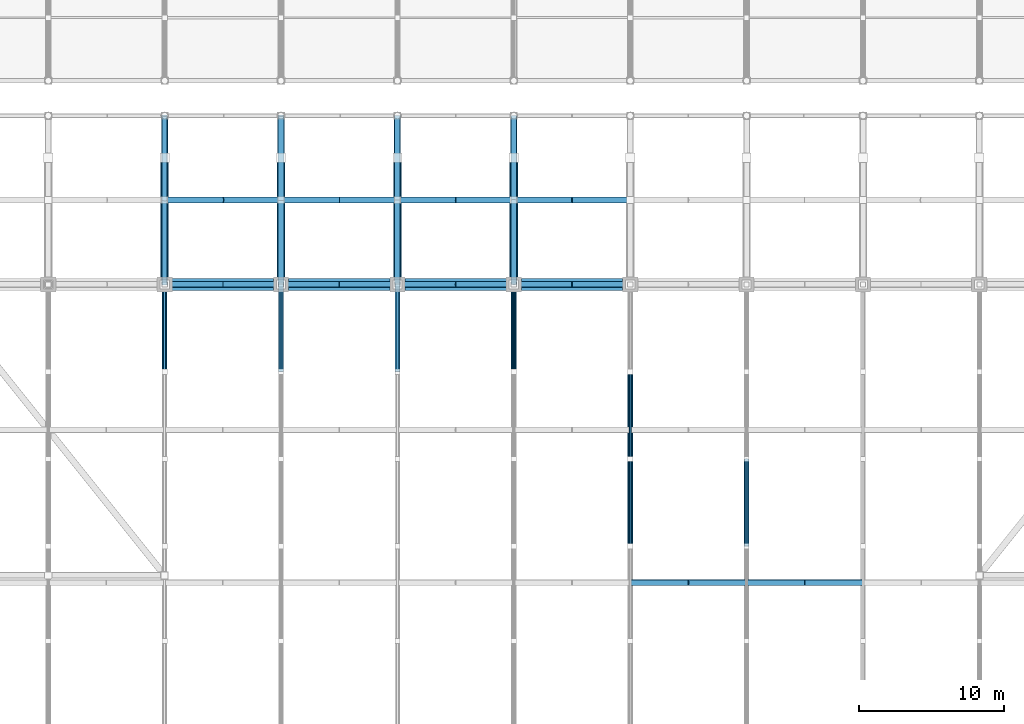
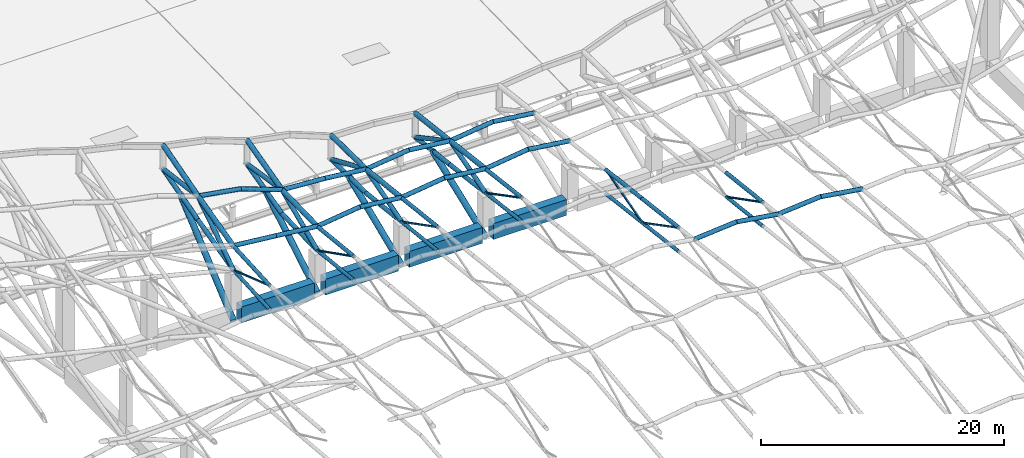
# One storey, part 15 of 75: 69 members, 4 beams.
"""IFC4 building model written with IfcOpenShell, lengths in metres."""

from ifc_helpers import new_model, si_unit, direction, frame, origin, origin_2d, place, context, subcontext, project, spatial, rectangle, hollow_rectangle, hollow_circle, extrude, material, material_profile, profile_set, type_object, element, save


model = new_model("IFC4")

# Units and contexts
model_context = context("Model", 3, precision=1e-05, world=origin(), true_north=direction((0.0, 1.0)))
body_context = subcontext(model_context, "Body", "Model", "MODEL_VIEW")
ifc_project = project(units=[si_unit("LENGTHUNIT", "METRE"), si_unit("AREAUNIT", "SQUARE_METRE"), si_unit("VOLUMEUNIT", "CUBIC_METRE"), si_unit("PLANEANGLEUNIT", "RADIAN"), si_unit("MASSUNIT", "GRAM", prefix="KILO")], contexts=[model_context])

# Site, building, storey
site_placement = place(None, origin())
site = spatial("IfcSite", under=ifc_project, at=site_placement, CompositionType="ELEMENT")
building_placement = place(site_placement, origin())
building = spatial("IfcBuilding", under=site, at=building_placement, Name="Khorjan Park Terminus", CompositionType="ELEMENT")
storey_placement = place(building_placement, frame((0.0, 0.0, 16.2)))
storey = spatial("IfcBuildingStorey", under=building, at=storey_placement, Name="L03", CompositionType="ELEMENT", Elevation=16.2)

# Members
ifc_material_1 = material(Name="Steel S355", Category="steel")
ifc_material_profile_1 = material_profile(ifc_material_1, hollow_circle(Radius=0.0969, WallThickness=0.01, at=origin_2d()), Name="CHS 193.7x10")
ifc_profile_set_1 = profile_set([ifc_material_profile_1], Name="Steel S355")
member_type_1 = type_object("IfcMemberType", Name="MB-BR-194", PredefinedType="BRACE", material=ifc_profile_set_1)
member_1_placement = place(storey_placement, frame((72.0, 82.0, 5.8901), z_axis=(0.0, 0.892185602554, -0.451668961293), x_axis=(-1.0, 0.0, 0.0)))
element("IfcMember", 1, at=member_1_placement, inside=storey, type_object=member_type_1, Name="Upper shell fold space-truss web diagonal (4)", PredefinedType="BRACE", context=body_context, shape_type="SweptSolid", body=[
    extrude(hollow_circle(Radius=0.0969, WallThickness=0.01, at=origin_2d()), origin(), (0.0, 0.0, 1.0), 6.7251),
])
member_2_placement = place(storey_placement, frame((88.0, 82.0, 6.1788), z_axis=(0.0, 0.88625355796, -0.463200422068), x_axis=(-1.0, 0.0, 0.0)))
element("IfcMember", 2, at=member_2_placement, inside=storey, type_object=member_type_1, Name="Upper shell fold space-truss web diagonal (6)", PredefinedType="BRACE", context=body_context, shape_type="SweptSolid", body=[
    extrude(hollow_circle(Radius=0.0969, WallThickness=0.01, at=origin_2d()), origin(), (0.0, 0.0, 1.0), 6.7701),
])
member_3_placement = place(storey_placement, frame((104.0, 70.0, 7.4079), z_axis=(0.0, 0.889228378973, -0.457463539563), x_axis=(-1.0, 0.0, 0.0)))
element("IfcMember", 3, at=member_3_placement, inside=storey, type_object=member_type_1, Name="Upper shell fold space-truss web diagonal (8)", PredefinedType="BRACE", context=body_context, shape_type="SweptSolid", body=[
    extrude(hollow_circle(Radius=0.0969, WallThickness=0.01, at=origin_2d()), origin(), (0.0, 0.0, 1.0), 6.7474),
])
ifc_material_profile_2 = material_profile(ifc_material_1, hollow_rectangle(XDim=0.15, YDim=0.15, WallThickness=0.01, InnerFilletRadius=0.01, OuterFilletRadius=0.02, at=origin_2d()), Name="SHS 150x150x10")
ifc_profile_set_2 = profile_set([ifc_material_profile_2], Name="Steel S355")
member_type_2 = type_object("IfcMemberType", Name="MB-BR-SHS150", PredefinedType="BRACE", material=ifc_profile_set_2)
member_4_placement = place(storey_placement, frame((64.0, 82.0, 5.7457), z_axis=(0.0, 0.946295848033, -0.32330197648), x_axis=(-1.0, 0.0, 0.0)))
element("IfcMember", 4, at=member_4_placement, inside=storey, type_object=member_type_2, Name="Upper shell fold space-truss web diagonal (3)", PredefinedType="BRACE", context=body_context, shape_type="SweptSolid", body=[
    extrude(hollow_rectangle(XDim=0.15, YDim=0.15, WallThickness=0.01, InnerFilletRadius=0.01, OuterFilletRadius=0.02, at=origin_2d()), origin(), (0.0, 0.0, 1.0), 6.3405),
])
member_5_placement = place(storey_placement, frame((80.0, 82.0, 6.0344), z_axis=(0.0, 0.889228378973, -0.457463539563), x_axis=(-1.0, 0.0, 0.0)))
element("IfcMember", 5, at=member_5_placement, inside=storey, type_object=member_type_2, Name="Upper shell fold space-truss web diagonal (5)", PredefinedType="BRACE", context=body_context, shape_type="SweptSolid", body=[
    extrude(hollow_rectangle(XDim=0.15, YDim=0.15, WallThickness=0.01, InnerFilletRadius=0.01, OuterFilletRadius=0.02, at=origin_2d()), origin(), (0.0, 0.0, 1.0), 6.7474),
])
member_6_placement = place(storey_placement, frame((96.0, 70.0, 7.6507), z_axis=(0.0, 0.88625355796, -0.463200422068), x_axis=(-1.0, 0.0, 0.0)))
element("IfcMember", 6, at=member_6_placement, inside=storey, type_object=member_type_2, Name="Upper shell fold space-truss web diagonal (7)", PredefinedType="BRACE", context=body_context, shape_type="SweptSolid", body=[
    extrude(hollow_rectangle(XDim=0.15, YDim=0.15, WallThickness=0.01, InnerFilletRadius=0.01, OuterFilletRadius=0.02, at=origin_2d()), origin(), (0.0, 0.0, 1.0), 6.7701),
])
member_7_placement = place(storey_placement, frame((96.0, 76.0, 4.5148), z_axis=(0.0, 0.963628272095, 0.267246240794), x_axis=(-1.0, 0.0, 0.0)))
element("IfcMember", 7, at=member_7_placement, inside=storey, type_object=member_type_2, Name="Upper shell fold space-truss web diagonal (7)", PredefinedType="BRACE", context=body_context, shape_type="SweptSolid", body=[
    extrude(hollow_rectangle(XDim=0.15, YDim=0.15, WallThickness=0.01, InnerFilletRadius=0.01, OuterFilletRadius=0.02, at=origin_2d()), origin(), (0.0, 0.0, 1.0), 6.2265),
])
ifc_material_profile_3 = material_profile(ifc_material_1, hollow_circle(Radius=0.162, WallThickness=0.0125, at=origin_2d()), Name="CHS 323.9x12.5")
ifc_profile_set_3 = profile_set([ifc_material_profile_3], Name="Steel S355")
member_type_3 = type_object("IfcMemberType", Name="MB-CH-324", PredefinedType="CHORD", material=ifc_profile_set_3)
member_8_placement = place(storey_placement, frame((64.0, 82.0, 3.3457), z_axis=(0.0, 0.998301973504, 0.058250920154), x_axis=(-1.0, 0.0, 0.0)))
element("IfcMember", 8, at=member_8_placement, inside=storey, type_object=member_type_3, Name="Upper shell fold space-truss bottom chord (3)", PredefinedType="CHORD", context=body_context, shape_type="SweptSolid", body=[
    extrude(hollow_circle(Radius=0.162, WallThickness=0.0125, at=origin_2d()), origin(), (0.0, 0.0, 1.0), 6.0102),
])
member_9_placement = place(storey_placement, frame((72.0, 82.0, 3.4901), z_axis=(0.0, 0.994402814649, -0.105655299056), x_axis=(-1.0, 0.0, 0.0)))
element("IfcMember", 9, at=member_9_placement, inside=storey, type_object=member_type_3, Name="Upper shell fold space-truss bottom chord (4)", PredefinedType="CHORD", context=body_context, shape_type="SweptSolid", body=[
    extrude(hollow_circle(Radius=0.162, WallThickness=0.0125, at=origin_2d()), origin(), (0.0, 0.0, 1.0), 6.0338),
])
member_10_placement = place(storey_placement, frame((80.0, 82.0, 3.6344), z_axis=(0.0, 0.993514246355, -0.113707705495), x_axis=(-1.0, 0.0, 0.0)))
element("IfcMember", 10, at=member_10_placement, inside=storey, type_object=member_type_3, Name="Upper shell fold space-truss bottom chord (5)", PredefinedType="CHORD", context=body_context, shape_type="SweptSolid", body=[
    extrude(hollow_circle(Radius=0.162, WallThickness=0.0125, at=origin_2d()), origin(), (0.0, 0.0, 1.0), 6.0392),
])
for number, where, z_axis, x_axis, name in (
    (11, (88.0, 82.0, 3.7788), (0.0, 0.992562298474, -0.121737765908), (-1.0, 0.0, 0.0), "Upper shell fold space-truss bottom chord (6)"),
    (12, (96.0, 70.0, 5.2507), (0.0, 0.992562298474, -0.121737765908), (-1.0, 0.0, 0.0), "Upper shell fold space-truss bottom chord (7)"),
    (13, (96.0, 76.0, 4.5148), (0.0, 0.992560299451, -0.121754063399), (-1.0, 0.0, 0.0), "Upper shell fold space-truss bottom chord (7)"),
):
    element("IfcMember", number, at=place(storey_placement, frame(where, z_axis=z_axis, x_axis=x_axis)), inside=storey, type_object=member_type_3, Name=name, PredefinedType="CHORD", context=body_context, shape_type="SweptSolid", body=[
        extrude(hollow_circle(Radius=0.162, WallThickness=0.0125, at=origin_2d()), origin(), (0.0, 0.0, 1.0), 6.045),
    ])
member_11_placement = place(storey_placement, frame((104.0, 70.0, 5.0079), z_axis=(0.0, 0.993514246355, -0.113707705495), x_axis=(-1.0, 0.0, 0.0)))
element("IfcMember", 14, at=member_11_placement, inside=storey, type_object=member_type_3, Name="Upper shell fold space-truss bottom chord (8)", PredefinedType="CHORD", context=body_context, shape_type="SweptSolid", body=[
    extrude(hollow_circle(Radius=0.162, WallThickness=0.0125, at=origin_2d()), origin(), (0.0, 0.0, 1.0), 6.0392),
])
ifc_material_profile_4 = material_profile(ifc_material_1, hollow_circle(Radius=0.1778, WallThickness=0.016, at=origin_2d()), Name="CHS 355.6x16")
ifc_profile_set_4 = profile_set([ifc_material_profile_4], Name="Steel S355")
member_type_4 = type_object("IfcMemberType", Name="MB-CH-356", PredefinedType="CHORD", material=ifc_profile_set_4)
member_12_placement = place(storey_placement, frame((64.0, 82.0, 5.7457), z_axis=(0.0, 0.998301973504, 0.058250920154), x_axis=(-1.0, 0.0, 0.0)))
element("IfcMember", 15, at=member_12_placement, inside=storey, type_object=member_type_4, Name="Upper shell fold space-truss top chord (3)", PredefinedType="CHORD", context=body_context, shape_type="SweptSolid", body=[
    extrude(hollow_circle(Radius=0.1778, WallThickness=0.016, at=origin_2d()), origin(), (0.0, 0.0, 1.0), 6.0102),
])
member_13_placement = place(storey_placement, frame((72.0, 82.0, 5.8901), z_axis=(0.0, 0.994402814649, -0.105655299056), x_axis=(-1.0, 0.0, 0.0)))
element("IfcMember", 16, at=member_13_placement, inside=storey, type_object=member_type_4, Name="Upper shell fold space-truss top chord (4)", PredefinedType="CHORD", context=body_context, shape_type="SweptSolid", body=[
    extrude(hollow_circle(Radius=0.1778, WallThickness=0.016, at=origin_2d()), origin(), (0.0, 0.0, 1.0), 6.0338),
])
member_14_placement = place(storey_placement, frame((80.0, 82.0, 6.0344), z_axis=(0.0, 0.993514246355, -0.113707705495), x_axis=(-1.0, 0.0, 0.0)))
element("IfcMember", 17, at=member_14_placement, inside=storey, type_object=member_type_4, Name="Upper shell fold space-truss top chord (5)", PredefinedType="CHORD", context=body_context, shape_type="SweptSolid", body=[
    extrude(hollow_circle(Radius=0.1778, WallThickness=0.016, at=origin_2d()), origin(), (0.0, 0.0, 1.0), 6.0392),
])
for number, where, z_axis, x_axis, name in (
    (18, (88.0, 82.0, 6.1788), (0.0, 0.992562298474, -0.121737765908), (-1.0, 0.0, 0.0), "Upper shell fold space-truss top chord (6)"),
    (19, (96.0, 70.0, 7.6507), (0.0, 0.992562298474, -0.121737765908), (-1.0, 0.0, 0.0), "Upper shell fold space-truss top chord (7)"),
    (20, (96.0, 76.0, 6.9148), (0.0, 0.992560299451, -0.121754063399), (-1.0, 0.0, 0.0), "Upper shell fold space-truss top chord (7)"),
):
    element("IfcMember", number, at=place(storey_placement, frame(where, z_axis=z_axis, x_axis=x_axis)), inside=storey, type_object=member_type_4, Name=name, PredefinedType="CHORD", context=body_context, shape_type="SweptSolid", body=[
        extrude(hollow_circle(Radius=0.1778, WallThickness=0.016, at=origin_2d()), origin(), (0.0, 0.0, 1.0), 6.045),
    ])
member_15_placement = place(storey_placement, frame((104.0, 70.0, 7.4079), z_axis=(0.0, 0.993514246355, -0.113707705495), x_axis=(-1.0, 0.0, 0.0)))
element("IfcMember", 21, at=member_15_placement, inside=storey, type_object=member_type_4, Name="Upper shell fold space-truss top chord (8)", PredefinedType="CHORD", context=body_context, shape_type="SweptSolid", body=[
    extrude(hollow_circle(Radius=0.1778, WallThickness=0.016, at=origin_2d()), origin(), (0.0, 0.0, 1.0), 6.0392),
])
ifc_material_profile_5 = material_profile(ifc_material_1, hollow_circle(Radius=0.2032, WallThickness=0.016, at=origin_2d()), Name="CHS 406.4x16")
ifc_profile_set_5 = profile_set([ifc_material_profile_5], Name="Steel S355")
member_type_5 = type_object("IfcMemberType", Name="MB-CH-406", PredefinedType="CHORD", material=ifc_profile_set_5)
member_16_placement = place(storey_placement, frame((96.0, 67.5, 7.9974), z_axis=(0.996294693349, 0.0, 0.086005139403), x_axis=(0.0, 1.0, 0.0)))
element("IfcMember", 22, at=member_16_placement, inside=storey, type_object=member_type_5, Name="Upper shell fold rib chord (181)", PredefinedType="CHORD", context=body_context, shape_type="SweptSolid", body=[
    extrude(hollow_circle(Radius=0.2032, WallThickness=0.016, at=origin_2d()), origin(), (0.0, 0.0, 1.0), 4.0149),
])
member_17_placement = place(storey_placement, frame((100.0, 67.5, 8.3427), z_axis=(0.988622353186, 0.0, -0.150418891037), x_axis=(0.0, 1.0, 0.0)))
element("IfcMember", 23, at=member_17_placement, inside=storey, type_object=member_type_5, Name="Upper shell fold rib chord (182)", PredefinedType="CHORD", context=body_context, shape_type="SweptSolid", body=[
    extrude(hollow_circle(Radius=0.2032, WallThickness=0.016, at=origin_2d()), origin(), (0.0, 0.0, 1.0), 4.046),
])
member_18_placement = place(storey_placement, frame((104.0, 67.5, 7.7341), z_axis=(0.996294693349, 0.0, 0.086005139403), x_axis=(0.0, 1.0, 0.0)))
element("IfcMember", 24, at=member_18_placement, inside=storey, type_object=member_type_5, Name="Upper shell fold rib chord (183)", PredefinedType="CHORD", context=body_context, shape_type="SweptSolid", body=[
    extrude(hollow_circle(Radius=0.2032, WallThickness=0.016, at=origin_2d()), origin(), (0.0, 0.0, 1.0), 4.0149),
])
member_19_placement = place(storey_placement, frame((108.0, 67.5, 8.0794), z_axis=(0.988622353186, 0.0, -0.150418891037), x_axis=(0.0, 1.0, 0.0)))
element("IfcMember", 25, at=member_19_placement, inside=storey, type_object=member_type_5, Name="Upper shell fold rib chord (184)", PredefinedType="CHORD", context=body_context, shape_type="SweptSolid", body=[
    extrude(hollow_circle(Radius=0.2032, WallThickness=0.016, at=origin_2d()), origin(), (0.0, 0.0, 1.0), 4.046),
])
ifc_material_profile_6 = material_profile(ifc_material_1, hollow_circle(Radius=0.2032, WallThickness=0.016, at=origin_2d()), Name="CHS 406.4x16")
ifc_profile_set_6 = profile_set([ifc_material_profile_6], Name="Steel S355")
member_type_6 = type_object("IfcMemberType", Name="MB-CHE-406", PredefinedType="CHORD", material=ifc_profile_set_6)
member_20_placement = place(storey_placement, frame((64.0, 88.0, 6.1358), z_axis=(0.994691618291, 0.0, -0.102900847912), x_axis=(0.0, 1.0, 0.0)))
element("IfcMember", 26, at=member_20_placement, inside=storey, type_object=member_type_6, Name="Upper shell fold rib chord (223)", PredefinedType="CHORD", context=body_context, shape_type="SweptSolid", body=[
    extrude(hollow_circle(Radius=0.2032, WallThickness=0.016, at=origin_2d()), origin(), (0.0, 0.0, 1.0), 4.0213),
])
member_21_placement = place(storey_placement, frame((68.0, 88.0, 5.722), z_axis=(0.994287316425, 0.0, -0.106736743418), x_axis=(0.0, 1.0, 0.0)))
element("IfcMember", 27, at=member_21_placement, inside=storey, type_object=member_type_6, Name="Upper shell fold rib chord (224)", PredefinedType="CHORD", context=body_context, shape_type="SweptSolid", body=[
    extrude(hollow_circle(Radius=0.2032, WallThickness=0.016, at=origin_2d()), origin(), (0.0, 0.0, 1.0), 4.023),
])
member_22_placement = place(storey_placement, frame((72.0, 88.0, 5.2926), z_axis=(0.9915124119, 0.0, 0.13001206501), x_axis=(0.0, 1.0, 0.0)))
element("IfcMember", 28, at=member_22_placement, inside=storey, type_object=member_type_6, Name="Upper shell fold rib chord (225)", PredefinedType="CHORD", context=body_context, shape_type="SweptSolid", body=[
    extrude(hollow_circle(Radius=0.2032, WallThickness=0.016, at=origin_2d()), origin(), (0.0, 0.0, 1.0), 4.0342),
])
member_23_placement = place(storey_placement, frame((76.0, 88.0, 5.8171), z_axis=(0.994287316425, 0.0, -0.106736743418), x_axis=(0.0, 1.0, 0.0)))
element("IfcMember", 29, at=member_23_placement, inside=storey, type_object=member_type_6, Name="Upper shell fold rib chord (226)", PredefinedType="CHORD", context=body_context, shape_type="SweptSolid", body=[
    extrude(hollow_circle(Radius=0.2032, WallThickness=0.016, at=origin_2d()), origin(), (0.0, 0.0, 1.0), 4.023),
])
member_24_placement = place(storey_placement, frame((80.0, 88.0, 5.3877), z_axis=(0.991509216249, 0.0, 0.130036433711), x_axis=(0.0, 1.0, 0.0)))
element("IfcMember", 30, at=member_24_placement, inside=storey, type_object=member_type_6, Name="Upper shell fold rib chord (227)", PredefinedType="CHORD", context=body_context, shape_type="SweptSolid", body=[
    extrude(hollow_circle(Radius=0.2032, WallThickness=0.016, at=origin_2d()), origin(), (0.0, 0.0, 1.0), 4.0343),
])
member_25_placement = place(storey_placement, frame((84.0, 88.0, 5.9123), z_axis=(0.994287316425, 0.0, -0.106736743418), x_axis=(0.0, 1.0, 0.0)))
element("IfcMember", 31, at=member_25_placement, inside=storey, type_object=member_type_6, Name="Upper shell fold rib chord (228)", PredefinedType="CHORD", context=body_context, shape_type="SweptSolid", body=[
    extrude(hollow_circle(Radius=0.2032, WallThickness=0.016, at=origin_2d()), origin(), (0.0, 0.0, 1.0), 4.023),
])
for number, where, z_axis, x_axis, name in (
    (32, (88.0, 88.0, 5.4829), (0.9915124119, 0.0, 0.13001206501), (0.0, 1.0, 0.0), "Upper shell fold rib chord (229)"),
    (33, (92.0, 88.0, 6.0074), (0.9915124119, 0.0, -0.13001206501), (0.0, 1.0, 0.0), "Upper shell fold rib chord (230)"),
):
    element("IfcMember", number, at=place(storey_placement, frame(where, z_axis=z_axis, x_axis=x_axis)), inside=storey, type_object=member_type_6, Name=name, PredefinedType="CHORD", context=body_context, shape_type="SweptSolid", body=[
        extrude(hollow_circle(Radius=0.2032, WallThickness=0.016, at=origin_2d()), origin(), (0.0, 0.0, 1.0), 4.0342),
    ])
member_26_placement = place(storey_placement, frame((64.0, 93.8, 7.6131), z_axis=(0.985790621278, 0.0, -0.167978721866), x_axis=(0.0, 1.0, 0.0)))
element("IfcMember", 34, at=member_26_placement, inside=storey, type_object=member_type_6, Name="Upper shell fold rib chord (247)", PredefinedType="CHORD", context=body_context, shape_type="SweptSolid", body=[
    extrude(hollow_circle(Radius=0.2032, WallThickness=0.016, at=origin_2d()), origin(), (0.0, 0.0, 1.0), 4.0577),
])
member_27_placement = place(storey_placement, frame((68.0, 93.8, 6.9315), z_axis=(0.937112467786, 0.0, -0.349027538627), x_axis=(0.0, 1.0, 0.0)))
element("IfcMember", 35, at=member_27_placement, inside=storey, type_object=member_type_6, Name="Upper shell fold rib chord (248)", PredefinedType="CHORD", context=body_context, shape_type="SweptSolid", body=[
    extrude(hollow_circle(Radius=0.2032, WallThickness=0.016, at=origin_2d()), origin(), (0.0, 0.0, 1.0), 4.2684),
])
member_28_placement = place(storey_placement, frame((72.0, 93.8, 5.4417), z_axis=(0.9978192431, 0.0, -0.066005742931), x_axis=(0.0, 1.0, 0.0)))
element("IfcMember", 36, at=member_28_placement, inside=storey, type_object=member_type_6, Name="Upper shell fold rib chord (249)", PredefinedType="CHORD", context=body_context, shape_type="SweptSolid", body=[
    extrude(hollow_circle(Radius=0.2032, WallThickness=0.016, at=origin_2d()), origin(), (0.0, 0.0, 1.0), 4.0087),
])
member_29_placement = place(storey_placement, frame((76.0, 93.8, 5.1771), z_axis=(0.993642695952, 0.0, -0.112579717451), x_axis=(0.0, 1.0, 0.0)))
element("IfcMember", 37, at=member_29_placement, inside=storey, type_object=member_type_6, Name="Upper shell fold rib chord (250)", PredefinedType="CHORD", context=body_context, shape_type="SweptSolid", body=[
    extrude(hollow_circle(Radius=0.2032, WallThickness=0.016, at=origin_2d()), origin(), (0.0, 0.0, 1.0), 4.0256),
])
member_30_placement = place(storey_placement, frame((80.0, 93.8, 4.7239), z_axis=(0.992256490306, 0.0, 0.124205706174), x_axis=(0.0, 1.0, 0.0)))
element("IfcMember", 38, at=member_30_placement, inside=storey, type_object=member_type_6, Name="Upper shell fold rib chord (251)", PredefinedType="CHORD", context=body_context, shape_type="SweptSolid", body=[
    extrude(hollow_circle(Radius=0.2032, WallThickness=0.016, at=origin_2d()), origin(), (0.0, 0.0, 1.0), 4.0312),
])
member_31_placement = place(storey_placement, frame((84.0, 93.8, 5.2246), z_axis=(0.993642695952, 0.0, -0.112579717451), x_axis=(0.0, 1.0, 0.0)))
element("IfcMember", 39, at=member_31_placement, inside=storey, type_object=member_type_6, Name="Upper shell fold rib chord (252)", PredefinedType="CHORD", context=body_context, shape_type="SweptSolid", body=[
    extrude(hollow_circle(Radius=0.2032, WallThickness=0.016, at=origin_2d()), origin(), (0.0, 0.0, 1.0), 4.0256),
])
for number, where, z_axis, x_axis, name in (
    (40, (88.0, 93.8, 4.7714), (0.992253432775, 0.0, 0.124230129783), (0.0, 1.0, 0.0), "Upper shell fold rib chord (253)"),
    (41, (92.0, 93.8, 5.2722), (0.992253432775, 0.0, -0.124230129783), (0.0, 1.0, 0.0), "Upper shell fold rib chord (254)"),
):
    element("IfcMember", number, at=place(storey_placement, frame(where, z_axis=z_axis, x_axis=x_axis)), inside=storey, type_object=member_type_6, Name=name, PredefinedType="CHORD", context=body_context, shape_type="SweptSolid", body=[
        extrude(hollow_circle(Radius=0.2032, WallThickness=0.016, at=origin_2d()), origin(), (0.0, 0.0, 1.0), 4.0312),
    ])
member_32_placement = place(storey_placement, frame((64.0, 88.0, 3.6958), z_axis=(0.0, 0.969059763172, 0.246826204851), x_axis=(-1.0, 0.0, 0.0)))
element("IfcMember", 42, at=member_32_placement, inside=storey, type_object=member_type_6, Name="Upper shell fold space-truss bottom chord (3)", PredefinedType="CHORD", context=body_context, shape_type="SweptSolid", body=[
    extrude(hollow_circle(Radius=0.2032, WallThickness=0.016, at=origin_2d()), origin(), (0.0, 0.0, 1.0), 5.9852),
])
member_33_placement = place(storey_placement, frame((64.0, 93.8, 5.1731), z_axis=(0.0, 0.961512686437, 0.274760539052), x_axis=(-1.0, 0.0, 0.0)))
element("IfcMember", 43, at=member_33_placement, inside=storey, type_object=member_type_6, Name="Upper shell fold space-truss bottom chord (3)", PredefinedType="CHORD", context=body_context, shape_type="SweptSolid", body=[
    extrude(hollow_circle(Radius=0.2032, WallThickness=0.016, at=origin_2d()), origin(), (0.0, 0.0, 1.0), 6.0322),
])
member_34_placement = place(storey_placement, frame((72.0, 88.0, 2.8526), z_axis=(0.0, 0.999669741413, 0.025698406628), x_axis=(-1.0, 0.0, 0.0)))
element("IfcMember", 44, at=member_34_placement, inside=storey, type_object=member_type_6, Name="Upper shell fold space-truss bottom chord (4)", PredefinedType="CHORD", context=body_context, shape_type="SweptSolid", body=[
    extrude(hollow_circle(Radius=0.2032, WallThickness=0.016, at=origin_2d()), origin(), (0.0, 0.0, 1.0), 5.8019),
])
member_35_placement = place(storey_placement, frame((72.0, 93.8, 3.0017), z_axis=(0.0, 0.967619044028, 0.252415105796), x_axis=(-1.0, 0.0, 0.0)))
element("IfcMember", 45, at=member_35_placement, inside=storey, type_object=member_type_6, Name="Upper shell fold space-truss bottom chord (4)", PredefinedType="CHORD", context=body_context, shape_type="SweptSolid", body=[
    extrude(hollow_circle(Radius=0.2032, WallThickness=0.016, at=origin_2d()), origin(), (0.0, 0.0, 1.0), 5.9941),
])
member_36_placement = place(storey_placement, frame((80.0, 88.0, 2.9477), z_axis=(0.0, 0.993514439867, -0.113706014687), x_axis=(-1.0, 0.0, 0.0)))
element("IfcMember", 46, at=member_36_placement, inside=storey, type_object=member_type_6, Name="Upper shell fold space-truss bottom chord (5)", PredefinedType="CHORD", context=body_context, shape_type="SweptSolid", body=[
    extrude(hollow_circle(Radius=0.2032, WallThickness=0.016, at=origin_2d()), origin(), (0.0, 0.0, 1.0), 5.8379),
])
member_37_placement = place(storey_placement, frame((80.0, 93.8, 2.2839), z_axis=(0.0, 0.999892630256, -0.014653598892), x_axis=(-1.0, 0.0, 0.0)))
element("IfcMember", 47, at=member_37_placement, inside=storey, type_object=member_type_6, Name="Upper shell fold space-truss bottom chord (5)", PredefinedType="CHORD", context=body_context, shape_type="SweptSolid", body=[
    extrude(hollow_circle(Radius=0.2032, WallThickness=0.016, at=origin_2d()), origin(), (0.0, 0.0, 1.0), 5.8006),
])
for number, where, z_axis, x_axis, name in (
    (48, (88.0, 88.0, 3.0429), (0.0, 0.992559610072, -0.121759683201), (-1.0, 0.0, 0.0), "Upper shell fold space-truss bottom chord (6)"),
    (49, (88.0, 93.8, 2.3314), (0.0, 0.992561678115, -0.121742823761), (-1.0, 0.0, 0.0), "Upper shell fold space-truss bottom chord (6)"),
):
    element("IfcMember", number, at=place(storey_placement, frame(where, z_axis=z_axis, x_axis=x_axis)), inside=storey, type_object=member_type_6, Name=name, PredefinedType="CHORD", context=body_context, shape_type="SweptSolid", body=[
        extrude(hollow_circle(Radius=0.2032, WallThickness=0.016, at=origin_2d()), origin(), (0.0, 0.0, 1.0), 5.8435),
    ])
ifc_material_profile_7 = material_profile(ifc_material_1, hollow_circle(Radius=0.2285, WallThickness=0.016, at=origin_2d()), Name="CHS 457x16")
ifc_profile_set_7 = profile_set([ifc_material_profile_7], Name="Steel S355")
member_type_7 = type_object("IfcMemberType", Name="MB-CHE-457", PredefinedType="CHORD", material=ifc_profile_set_7)
member_38_placement = place(storey_placement, frame((64.0, 88.0, 6.0958), z_axis=(0.0, 0.969059763172, 0.246826204851), x_axis=(-1.0, 0.0, 0.0)))
element("IfcMember", 50, at=member_38_placement, inside=storey, type_object=member_type_7, Name="Upper shell fold space-truss top chord (3)", PredefinedType="CHORD", context=body_context, shape_type="SweptSolid", body=[
    extrude(hollow_circle(Radius=0.2285, WallThickness=0.016, at=origin_2d()), origin(), (0.0, 0.0, 1.0), 5.9852),
])
member_39_placement = place(storey_placement, frame((64.0, 93.8, 7.5731), z_axis=(0.0, 0.961512686437, 0.274760539052), x_axis=(-1.0, 0.0, 0.0)))
element("IfcMember", 51, at=member_39_placement, inside=storey, type_object=member_type_7, Name="Upper shell fold space-truss top chord (3)", PredefinedType="CHORD", context=body_context, shape_type="SweptSolid", body=[
    extrude(hollow_circle(Radius=0.2285, WallThickness=0.016, at=origin_2d()), origin(), (0.0, 0.0, 1.0), 6.0322),
])
member_40_placement = place(storey_placement, frame((72.0, 88.0, 5.2526), z_axis=(0.0, 0.999669741413, 0.025698406628), x_axis=(-1.0, 0.0, 0.0)))
element("IfcMember", 52, at=member_40_placement, inside=storey, type_object=member_type_7, Name="Upper shell fold space-truss top chord (4)", PredefinedType="CHORD", context=body_context, shape_type="SweptSolid", body=[
    extrude(hollow_circle(Radius=0.2285, WallThickness=0.016, at=origin_2d()), origin(), (0.0, 0.0, 1.0), 5.8019),
])
member_41_placement = place(storey_placement, frame((72.0, 93.8, 5.4017), z_axis=(0.0, 0.967619044028, 0.252415105796), x_axis=(-1.0, 0.0, 0.0)))
element("IfcMember", 53, at=member_41_placement, inside=storey, type_object=member_type_7, Name="Upper shell fold space-truss top chord (4)", PredefinedType="CHORD", context=body_context, shape_type="SweptSolid", body=[
    extrude(hollow_circle(Radius=0.2285, WallThickness=0.016, at=origin_2d()), origin(), (0.0, 0.0, 1.0), 5.9941),
])
member_42_placement = place(storey_placement, frame((80.0, 88.0, 5.3477), z_axis=(0.0, 0.993514439867, -0.113706014687), x_axis=(-1.0, 0.0, 0.0)))
element("IfcMember", 54, at=member_42_placement, inside=storey, type_object=member_type_7, Name="Upper shell fold space-truss top chord (5)", PredefinedType="CHORD", context=body_context, shape_type="SweptSolid", body=[
    extrude(hollow_circle(Radius=0.2285, WallThickness=0.016, at=origin_2d()), origin(), (0.0, 0.0, 1.0), 5.8379),
])
member_43_placement = place(storey_placement, frame((80.0, 93.8, 4.6839), z_axis=(0.0, 0.999892630256, -0.014653598892), x_axis=(-1.0, 0.0, 0.0)))
element("IfcMember", 55, at=member_43_placement, inside=storey, type_object=member_type_7, Name="Upper shell fold space-truss top chord (5)", PredefinedType="CHORD", context=body_context, shape_type="SweptSolid", body=[
    extrude(hollow_circle(Radius=0.2285, WallThickness=0.016, at=origin_2d()), origin(), (0.0, 0.0, 1.0), 5.8006),
])
for number, where, z_axis, x_axis, name in (
    (56, (88.0, 88.0, 5.4429), (0.0, 0.992559610072, -0.121759683201), (-1.0, 0.0, 0.0), "Upper shell fold space-truss top chord (6)"),
    (57, (88.0, 93.8, 4.7314), (0.0, 0.992561678115, -0.121742823761), (-1.0, 0.0, 0.0), "Upper shell fold space-truss top chord (6)"),
):
    element("IfcMember", number, at=place(storey_placement, frame(where, z_axis=z_axis, x_axis=x_axis)), inside=storey, type_object=member_type_7, Name=name, PredefinedType="CHORD", context=body_context, shape_type="SweptSolid", body=[
        extrude(hollow_circle(Radius=0.2285, WallThickness=0.016, at=origin_2d()), origin(), (0.0, 0.0, 1.0), 5.8435),
    ])
ifc_material_profile_8 = material_profile(ifc_material_1, hollow_circle(Radius=0.2795, WallThickness=0.02, at=origin_2d()), Name="CHS 559x20")
ifc_profile_set_8 = profile_set([ifc_material_profile_8], Name="Steel S355")
member_type_8 = type_object("IfcMemberType", Name="MB-ST-CHS559", PredefinedType="STRUT", material=ifc_profile_set_8)
member_44_placement = place(storey_placement, frame((64.0, 88.0, -1.4), z_axis=(0.0, 0.76164547291, 0.647993961079), x_axis=(-1.0, 0.0, 0.0)))
element("IfcMember", 58, at=member_44_placement, inside=storey, type_object=member_type_8, Name="Upper shell raked overhang V-strut STE-56 (3N)", PredefinedType="STRUT", context=body_context, shape_type="SweptSolid", body=[
    extrude(hollow_circle(Radius=0.2795, WallThickness=0.02, at=origin_2d()), origin(), (0.0, 0.0, 1.0), 11.4226),
])
member_45_placement = place(storey_placement, frame((72.0, 88.0, -1.4), z_axis=(0.0, 0.860176841701, 0.509995883318), x_axis=(-1.0, 0.0, 0.0)))
element("IfcMember", 59, at=member_45_placement, inside=storey, type_object=member_type_8, Name="Upper shell raked overhang V-strut STE-56 (4N)", PredefinedType="STRUT", context=body_context, shape_type="SweptSolid", body=[
    extrude(hollow_circle(Radius=0.2795, WallThickness=0.02, at=origin_2d()), origin(), (0.0, 0.0, 1.0), 10.1142),
])
member_46_placement = place(storey_placement, frame((80.0, 88.0, -1.4), z_axis=(0.0, 0.922458377603, 0.386096544391), x_axis=(-1.0, 0.0, 0.0)))
element("IfcMember", 60, at=member_46_placement, inside=storey, type_object=member_type_8, Name="Upper shell raked overhang V-strut STE-56 (5N)", PredefinedType="STRUT", context=body_context, shape_type="SweptSolid", body=[
    extrude(hollow_circle(Radius=0.2795, WallThickness=0.02, at=origin_2d()), origin(), (0.0, 0.0, 1.0), 9.4313),
])
member_47_placement = place(storey_placement, frame((88.0, 88.0, -1.4), z_axis=(0.0, 0.932280715022, 0.361735633299), x_axis=(-1.0, 0.0, 0.0)))
element("IfcMember", 61, at=member_47_placement, inside=storey, type_object=member_type_8, Name="Upper shell raked overhang V-strut STE-56 (6N)", PredefinedType="STRUT", context=body_context, shape_type="SweptSolid", body=[
    extrude(hollow_circle(Radius=0.2795, WallThickness=0.02, at=origin_2d()), origin(), (0.0, 0.0, 1.0), 9.332),
])
ifc_material_profile_9 = material_profile(ifc_material_1, hollow_circle(Radius=0.2032, WallThickness=0.016, at=origin_2d()), Name="CHS 406.4x16")
ifc_profile_set_9 = profile_set([ifc_material_profile_9], Name="Steel S355")
member_type_9 = type_object("IfcMemberType", Name="MB-STE-406", PredefinedType="STRUT", material=ifc_profile_set_9)
member_48_placement = place(storey_placement, frame((64.0, 88.0, 3.6958), z_axis=(0.0, 0.831346178511, 0.555754920334), x_axis=(-1.0, 0.0, 0.0)))
element("IfcMember", 62, at=member_48_placement, inside=storey, type_object=member_type_9, Name="Upper shell fold space-truss web diagonal (3)", PredefinedType="STRUT", context=body_context, shape_type="SweptSolid", body=[
    extrude(hollow_circle(Radius=0.2032, WallThickness=0.016, at=origin_2d()), origin(), (0.0, 0.0, 1.0), 6.9766),
])
member_49_placement = place(storey_placement, frame((64.0, 93.8, 7.5731), z_axis=(0.0, 0.991903000272, -0.126997787587), x_axis=(-1.0, 0.0, 0.0)))
element("IfcMember", 63, at=member_49_placement, inside=storey, type_object=member_type_9, Name="Upper shell fold space-truss web diagonal (3)", PredefinedType="STRUT", context=body_context, shape_type="SweptSolid", body=[
    extrude(hollow_circle(Radius=0.2032, WallThickness=0.016, at=origin_2d()), origin(), (0.0, 0.0, 1.0), 5.8473),
])
member_50_placement = place(storey_placement, frame((72.0, 88.0, 2.8526), z_axis=(0.0, 0.9154836907, 0.402355082063), x_axis=(-1.0, 0.0, 0.0)))
element("IfcMember", 64, at=member_50_placement, inside=storey, type_object=member_type_9, Name="Upper shell fold space-truss web diagonal (4)", PredefinedType="STRUT", context=body_context, shape_type="SweptSolid", body=[
    extrude(hollow_circle(Radius=0.2032, WallThickness=0.016, at=origin_2d()), origin(), (0.0, 0.0, 1.0), 6.3354),
])
member_51_placement = place(storey_placement, frame((72.0, 93.8, 5.4017), z_axis=(0.0, 0.988507254371, -0.151173437005), x_axis=(-1.0, 0.0, 0.0)))
element("IfcMember", 65, at=member_51_placement, inside=storey, type_object=member_type_9, Name="Upper shell fold space-truss web diagonal (4)", PredefinedType="STRUT", context=body_context, shape_type="SweptSolid", body=[
    extrude(hollow_circle(Radius=0.2032, WallThickness=0.016, at=origin_2d()), origin(), (0.0, 0.0, 1.0), 5.8674),
])
member_52_placement = place(storey_placement, frame((80.0, 88.0, 2.9477), z_axis=(0.0, 0.957998861056, 0.286772003891), x_axis=(-1.0, 0.0, 0.0)))
element("IfcMember", 66, at=member_52_placement, inside=storey, type_object=member_type_9, Name="Upper shell fold space-truss web diagonal (5)", PredefinedType="STRUT", context=body_context, shape_type="SweptSolid", body=[
    extrude(hollow_circle(Radius=0.2032, WallThickness=0.016, at=origin_2d()), origin(), (0.0, 0.0, 1.0), 6.0543),
])
member_53_placement = place(storey_placement, frame((80.0, 93.8, 4.6839), z_axis=(0.0, 0.919186011339, -0.393823661755), x_axis=(-1.0, 0.0, 0.0)))
element("IfcMember", 67, at=member_53_placement, inside=storey, type_object=member_type_9, Name="Upper shell fold space-truss web diagonal (5)", PredefinedType="STRUT", context=body_context, shape_type="SweptSolid", body=[
    extrude(hollow_circle(Radius=0.2032, WallThickness=0.016, at=origin_2d()), origin(), (0.0, 0.0, 1.0), 6.3099),
])
member_54_placement = place(storey_placement, frame((88.0, 88.0, 3.0429), z_axis=(0.0, 0.960140787374, 0.279516848186), x_axis=(-1.0, 0.0, 0.0)))
element("IfcMember", 68, at=member_54_placement, inside=storey, type_object=member_type_9, Name="Upper shell fold space-truss web diagonal (6)", PredefinedType="STRUT", context=body_context, shape_type="SweptSolid", body=[
    extrude(hollow_circle(Radius=0.2032, WallThickness=0.016, at=origin_2d()), origin(), (0.0, 0.0, 1.0), 6.0408),
])
member_55_placement = place(storey_placement, frame((88.0, 93.8, 4.7314), z_axis=(0.0, 0.881210593902, -0.47272390377), x_axis=(-1.0, 0.0, 0.0)))
element("IfcMember", 69, at=member_55_placement, inside=storey, type_object=member_type_9, Name="Upper shell fold space-truss web diagonal (6)", PredefinedType="STRUT", context=body_context, shape_type="SweptSolid", body=[
    extrude(hollow_circle(Radius=0.2032, WallThickness=0.016, at=origin_2d()), origin(), (0.0, 0.0, 1.0), 6.5819),
])

# Beams
ifc_material_2 = material(Name="Concrete C50/60", Category="concrete")
ifc_material_profile_10 = material_profile(ifc_material_2, rectangle(XDim=0.8, YDim=1.6, at=origin_2d()), Name="RC 800x1600")
ifc_profile_set_10 = profile_set([ifc_material_profile_10], Name="Concrete C50/60")
beam_type = type_object("IfcBeamType", Name="SP-RC800x1600", PredefinedType="SPANDREL", material=ifc_profile_set_10)
for number, where, z_axis, x_axis, name in (
    (70, (64.519, 88.0, -0.8), (1.0, 0.0, 0.0), (0.0, 1.0, 0.0), "Concourse colonnade ring beam SP-16 (6)"),
    (71, (72.519, 88.0, -0.8), (1.0, 0.0, 0.0), (0.0, 1.0, 0.0), "Concourse colonnade ring beam SP-16 (8)"),
    (72, (80.519, 88.0, -0.8), (1.0, 0.0, 0.0), (0.0, 1.0, 0.0), "Concourse colonnade ring beam SP-16 (10)"),
    (73, (88.519, 88.0, -0.8), (1.0, 0.0, 0.0), (0.0, 1.0, 0.0), "Concourse colonnade ring beam SP-16 (12)"),
):
    element("IfcBeam", number, at=place(storey_placement, frame(where, z_axis=z_axis, x_axis=x_axis)), inside=storey, type_object=beam_type, Name=name, PredefinedType="SPANDREL", context=body_context, shape_type="SweptSolid", body=[
        extrude(rectangle(XDim=0.8, YDim=1.6, at=origin_2d()), origin(), (0.0, 0.0, 1.0), 6.962),
    ])

save(model, "model.ifc")
